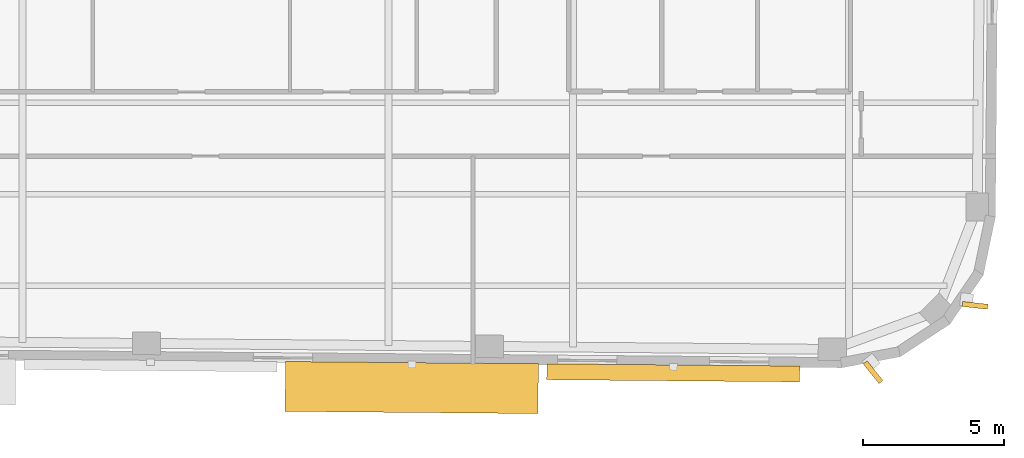
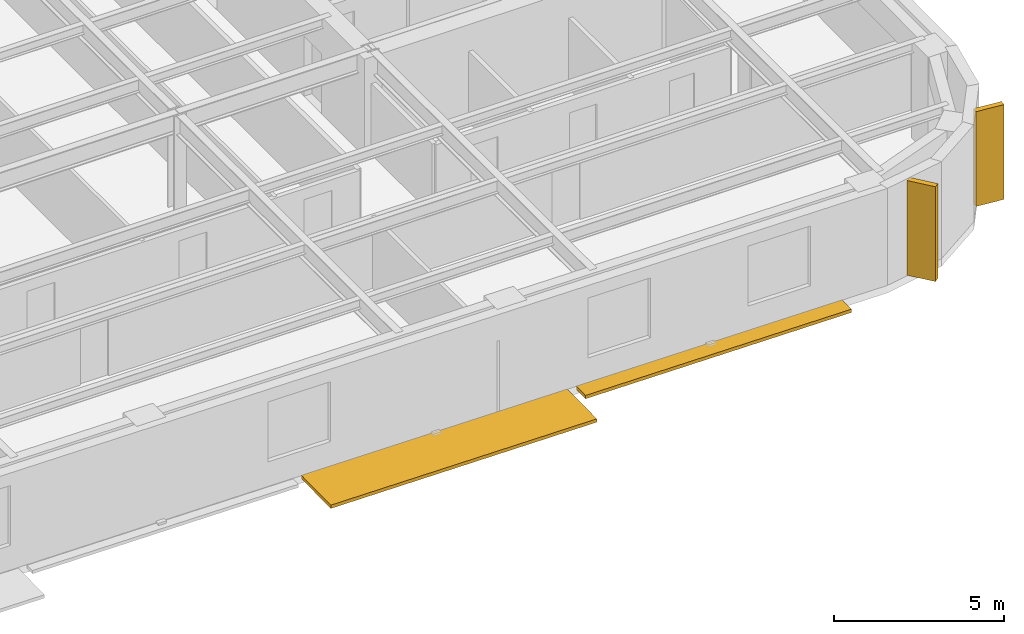
# One storey, part 10 of 12: 4 shading devices.
"""IFC4 building model written with IfcOpenShell, lengths in metres."""

from ifc_helpers import new_model, si_unit, direction, frame, origin, origin_2d, place, context, subcontext, project, spatial, rectangle, extrude, material, type_object, element, save


model = new_model("IFC4")

# Units and contexts
model_context = context("Model", 3, precision=1e-05, world=origin(), true_north=direction((0.0, 1.0)))
body_context = subcontext(model_context, "Body", "Model", "MODEL_VIEW")
ifc_project = project(units=[si_unit("LENGTHUNIT", "METRE"), si_unit("AREAUNIT", "SQUARE_METRE"), si_unit("VOLUMEUNIT", "CUBIC_METRE"), si_unit("PLANEANGLEUNIT", "RADIAN"), si_unit("MASSUNIT", "GRAM", prefix="KILO")], contexts=[model_context])

# Site, building, storey
site_placement = place(None, origin())
site = spatial("IfcSite", under=ifc_project, at=site_placement, CompositionType="ELEMENT")
building_placement = place(site_placement, origin())
building = spatial("IfcBuilding", under=site, at=building_placement, Name="Kolvaren Arena Tower", CompositionType="ELEMENT")
storey_placement = place(building_placement, frame((0.0, 0.0, 177.199951171875)))
storey = spatial("IfcBuildingStorey", under=building, at=storey_placement, Name="L42", CompositionType="ELEMENT", Elevation=177.199951171875)

# Shading devices
ifc_material_1 = material(Name="Precast architectural concrete C50/60 rib fin", Category="concrete")
shading_device_type_1 = type_object("IfcShadingDeviceType", Name="SHAD-FIN-28", PredefinedType="USERDEFINED", material=ifc_material_1)
for number, where, z_axis, x_axis, name in (
    (1, (61.2021484375, 5.427978515625, 0.02001953125), (0.0, 0.0, 1.0), (0.625923472184, -0.779884483093, 0.0), "Precast 28-Deg Corner Rib Fin (L42)"),
    (2, (64.822509765625, 7.8017578125, 0.02001953125), (0.0, 0.0, 1.0), (0.994056908234, -0.108861669984, 0.0), "Precast 28-Deg Corner Rib Fin (L42)"),
):
    element("IfcShadingDevice", number, at=place(storey_placement, frame(where, z_axis=z_axis, x_axis=x_axis)), inside=storey, type_object=shading_device_type_1, Name=name, ObjectType="FIN", PredefinedType="USERDEFINED", context=body_context, shape_type="SweptSolid", body=[
        extrude(rectangle(XDim=0.89990234375, YDim=0.179931640625, at=origin_2d()), origin(), (0.0, 0.0, 1.0), 3.39990234375),
    ])
ifc_material_2 = material(Name="Architectural precast GFRC and anodised aluminium sunshade", Category="concrete")
shading_device_type_2 = type_object("IfcShadingDeviceType", Name="SHAD-SINE-A", PredefinedType="USERDEFINED", material=ifc_material_2)
shading_device_1_placement = place(storey_placement, frame((54.1083984375, 5.405517578125, -0.139892578125), z_axis=(0.0, 0.0, 1.0), x_axis=(-0.999961923064, 0.008726535498, 0.0)))
element("IfcShadingDevice", 3, at=shading_device_1_placement, inside=storey, type_object=shading_device_type_2, Name="Sinusoidal Slab-Edge Sunshade Louvre (L42)", ObjectType="LOUVRE", PredefinedType="USERDEFINED", context=body_context, shape_type="SweptSolid", body=[
    extrude(rectangle(XDim=8.97998046875, YDim=0.564453125, at=origin_2d()), origin(), (0.0, 0.0, 1.0), 0.1201171875),
])
shading_device_type_3 = type_object("IfcShadingDeviceType", Name="SHAD-SINE-B", PredefinedType="JALOUSIE", material=ifc_material_2)
shading_device_2_placement = place(storey_placement, frame((44.823486328125, 4.88330078125, -0.139892578125), z_axis=(0.0, 0.0, 1.0), x_axis=(-0.999961923064, 0.008726535498, 0.0)))
element("IfcShadingDevice", 4, at=shading_device_2_placement, inside=storey, type_object=shading_device_type_3, Name="Sinusoidal Slab-Edge Sunshade Louvre (L42)", PredefinedType="JALOUSIE", context=body_context, shape_type="SweptSolid", body=[
    extrude(rectangle(XDim=8.97998046875, YDim=1.7705078125, at=origin_2d()), origin(), (0.0, 0.0, 1.0), 0.1201171875),
])

save(model, "model.ifc")
